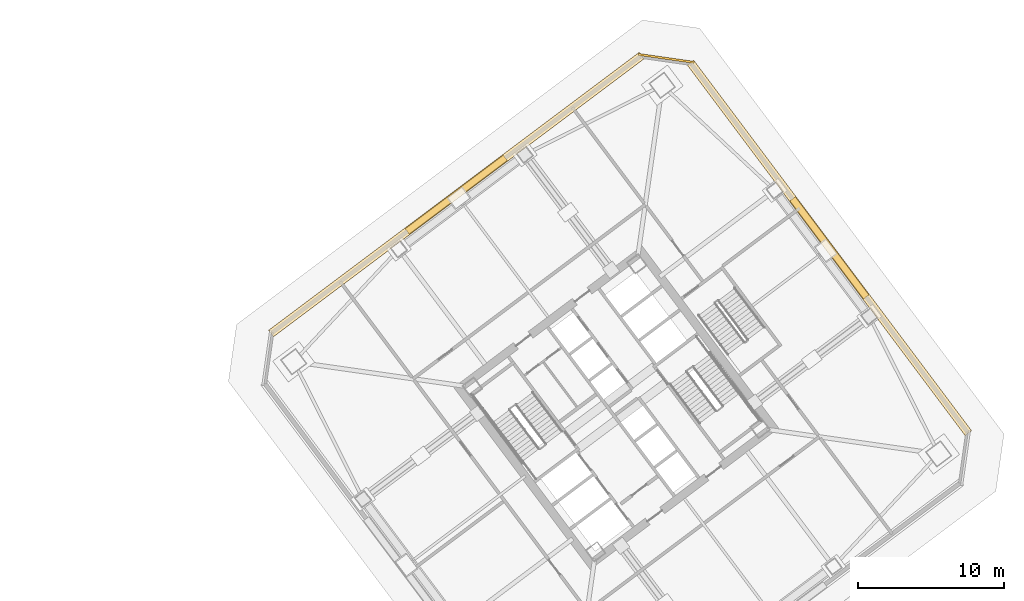
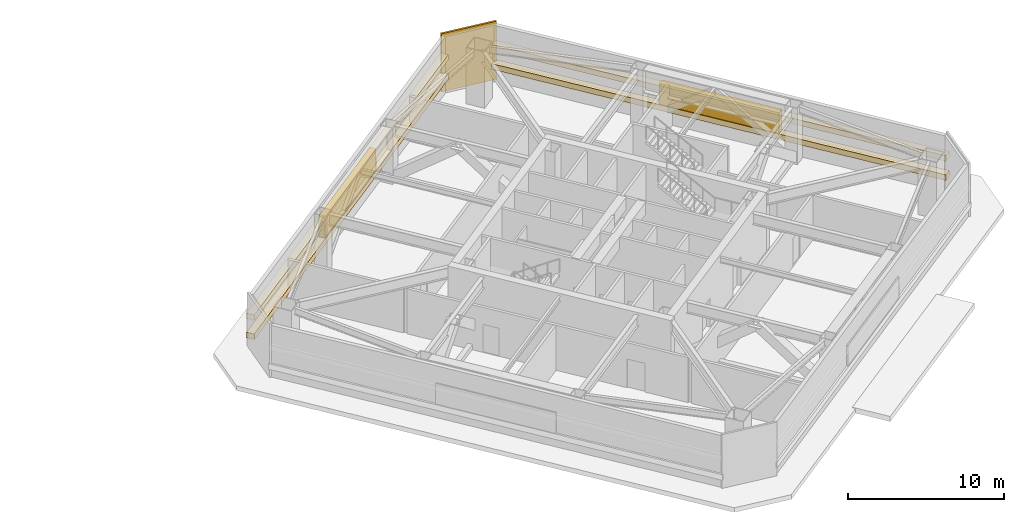
# One storey, part 15 of 15: 5 coverings, 2 shading devices.
"""IFC4 building model written with IfcOpenShell, lengths in metres."""

from ifc_helpers import new_model, si_unit, direction, frame, origin, origin_2d, place, context, subcontext, project, spatial, rectangle, extrude, material, layer, layer_set, type_object, element, save


model = new_model("IFC4")

# Units and contexts
model_context = context("Model", 3, precision=1e-05, world=origin(), true_north=direction((0.0, 1.0)))
body_context = subcontext(model_context, "Body", "Model", "MODEL_VIEW")
ifc_project = project(units=[si_unit("LENGTHUNIT", "METRE"), si_unit("AREAUNIT", "SQUARE_METRE"), si_unit("VOLUMEUNIT", "CUBIC_METRE"), si_unit("PLANEANGLEUNIT", "RADIAN"), si_unit("MASSUNIT", "GRAM", prefix="KILO")], contexts=[model_context])

# Site, building, storey
site_placement = place(None, origin())
site = spatial("IfcSite", under=ifc_project, at=site_placement, CompositionType="ELEMENT")
building_placement = place(site_placement, origin())
building = spatial("IfcBuilding", under=site, at=building_placement, Name="Tashvorn Skyway Center", CompositionType="ELEMENT")
storey_placement = place(building_placement, frame((0.0, 0.0, 109.800048828125)))
storey = spatial("IfcBuildingStorey", under=building, at=storey_placement, Name="L29", CompositionType="ELEMENT", Elevation=109.800048828125)

# Coverings
ifc_material_1 = material(Name="Perforated ceramic-coated bronze aluminium solar screen", Category="aluminium")
ifc_layer_1 = layer(ifc_material_1, 0.85009765625)
ifc_layer_set_1 = layer_set([ifc_layer_1], Name="Perforated ceramic-coated bronze aluminium solar screen")
covering_type_1 = type_object("IfcCoveringType", Name="COV-SOLAR-BAND", PredefinedType="CLADDING", material=ifc_layer_set_1)
for number, where, z_axis, x_axis, name in (
    (1, (103.031982421875, 46.6240234375, 1.030029296875), (0.0, 0.0, 1.0), (0.799999996291, 0.600000004945, 0.0), "Tower 2 L29 North Belt Acoustic Louvre Band 1"),
    (2, (103.031982421875, 46.6240234375, 2.530029296875), (0.0, 0.0, 1.0), (0.799999996291, 0.600000004945, 0.0), "Tower 2 L29 North Belt Acoustic Louvre Band 2"),
    (3, (128.6240234375, 42.968017578125, 1.030029296875), (0.0, 0.0, 1.0), (0.600000004945, -0.799999996291, 0.0), "Tower 2 L29 East Belt Acoustic Louvre Band 1"),
    (4, (128.6240234375, 42.968017578125, 2.530029296875), (0.0, 0.0, 1.0), (0.600000004945, -0.799999996291, 0.0), "Tower 2 L29 East Belt Acoustic Louvre Band 2"),
):
    element("IfcCovering", number, at=place(storey_placement, frame(where, z_axis=z_axis, x_axis=x_axis)), inside=storey, type_object=covering_type_1, Name=name, PredefinedType="CLADDING", context=body_context, shape_type="SweptSolid", body=[
        extrude(rectangle(XDim=31.760009765625, YDim=0.550048828125, at=origin_2d()), origin(), (0.0, 0.0, 1.0), 0.43994140625),
    ])
ifc_material_2 = material(Name="Precast concrete C40/50", Category="concrete")
ifc_layer_2 = layer(ifc_material_2, 0.35009765625)
ifc_layer_set_2 = layer_set([ifc_layer_2], Name="Precast concrete C40/50")
covering_type_2 = type_object("IfcCoveringType", Name="COV-STONE-TRIM", PredefinedType="CLADDING", material=ifc_layer_set_2)
covering_placement = place(storey_placement, frame((117.424072265625, 55.968017578125, 0.02001953125), z_axis=(0.0, 0.0, 1.0), x_axis=(0.989949494535, -0.141421350118, 0.0)))
element("IfcCovering", 5, at=covering_placement, inside=storey, type_object=covering_type_2, Name="Tower 2 L29 NE Mojave Limestone Corner Quoin", PredefinedType="CLADDING", context=body_context, shape_type="SweptSolid", body=[
    extrude(rectangle(XDim=3.8369140625, YDim=0.139892578125, at=origin_2d()), origin(), (0.0, 0.0, 1.0), 4.56005859375),
])

# Shading devices
ifc_material_3 = material(Name="Thermally broken bronze-anodized aluminium 6063-T6", Category="aluminium")
ifc_layer_3 = layer(ifc_material_3, 0.1201171875)
ifc_layer_set_3 = layer_set([ifc_layer_3], Name="Thermally broken bronze-anodized aluminium 6063-T6")
shading_device_type = type_object("IfcShadingDeviceType", Name="SHD-LOUVRE-450", PredefinedType="JALOUSIE", material=ifc_layer_set_3)
for number, where, z_axis, x_axis, name in (
    (6, (103.031982421875, 46.6240234375, 1.2998046875), (0.0, 0.0, 1.0), (0.799999996291, 0.600000004945, 0.0), "Tower 2 L29 North Mechanical Intake Louvre"),
    (7, (128.6240234375, 42.968017578125, 1.2998046875), (0.0, 0.0, 1.0), (0.600000004945, -0.799999996291, 0.0), "Tower 2 L29 East Mechanical Intake Louvre"),
):
    element("IfcShadingDevice", number, at=place(storey_placement, frame(where, z_axis=z_axis, x_axis=x_axis)), inside=storey, type_object=shading_device_type, Name=name, PredefinedType="JALOUSIE", context=body_context, shape_type="SweptSolid", body=[
        extrude(rectangle(XDim=8.39990234375, YDim=0.449951171875, at=origin_2d()), origin(), (0.0, 0.0, 1.0), 1.800048828125),
    ])

save(model, "model.ifc")
